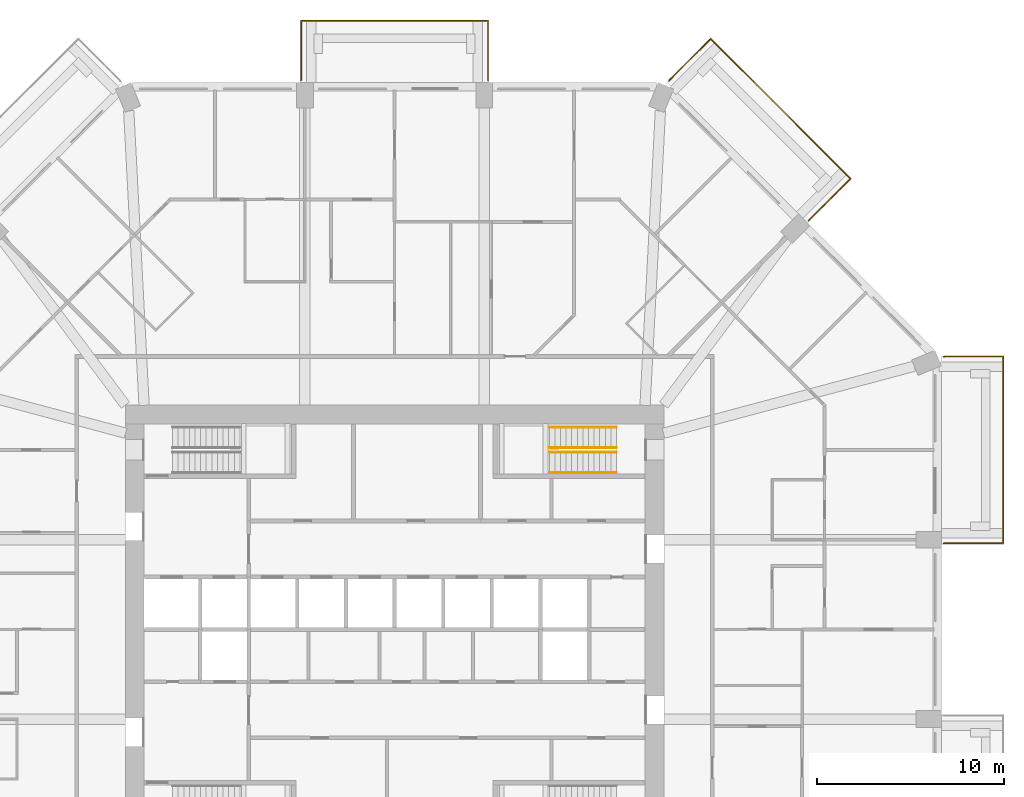
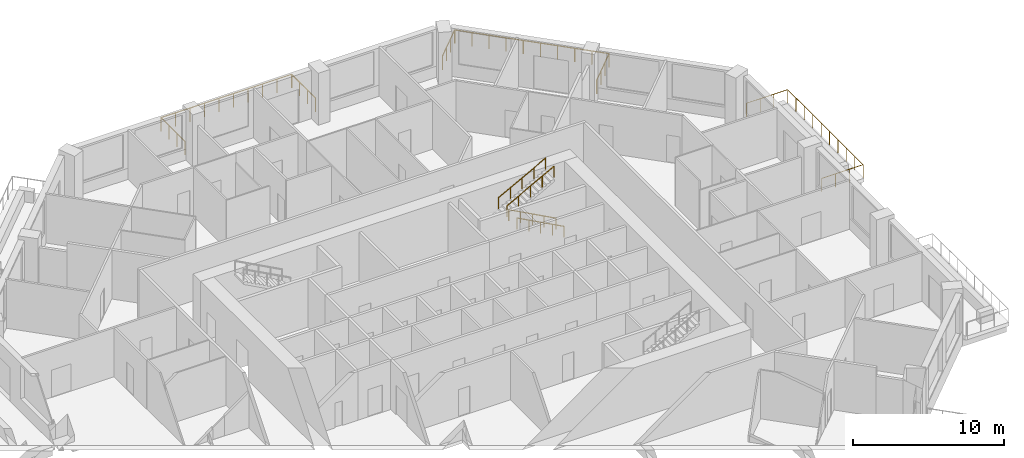
# One storey, part 13 of 13: 7 railings.
"""IFC4 building model written with IfcOpenShell, lengths in metres."""

import ifcopenshell
import ifcopenshell.guid

model = None  # the IFC model being written
_history = None  # IfcOwnerHistory: only IFC2X3 demands one
_inside = {}  # id of a spatial element -> (the spatial element, [elements in it])
_under = {}  # id of a project, library or spatial element -> (it, [spatial elements below it])
_declared = {}  # id of a project -> (the project, [libraries it declares])
_typed = {}  # id of a type object -> (the type object, [elements of that type])
_made_of = {}  # id of a material, layer set ... -> (it, [elements and type objects made of it])


def new_model(schema):
    """Start an empty IFC model of exactly this schema.

    Asked for "IFC4X3", IfcOpenShell would pick the latest addendum, in which some entities
    have other attributes; the version numbers below select the first issue.
    IFC2X3 requires an IfcOwnerHistory on every rooted entity: one is made here for all.
    """
    global model, _history
    if schema == "IFC4X3":
        model = ifcopenshell.file(schema_version=(4, 3, 0, 0))
    else:
        model = ifcopenshell.file(schema=schema)
    _inside.clear()
    _under.clear()
    _declared.clear()
    _typed.clear()
    _made_of.clear()
    _history = None
    if model.schema == "IFC2X3":
        org = make("IfcOrganization", Name="unknown")
        user = make(
            "IfcPersonAndOrganization",
            ThePerson=make("IfcPerson", FamilyName="unknown"),
            TheOrganization=org,
        )
        app = make(
            "IfcApplication",
            ApplicationDeveloper=org,
            Version="unknown",
            ApplicationFullName="unknown",
            ApplicationIdentifier="unknown",
        )
        _history = make(
            "IfcOwnerHistory",
            OwningUser=user,
            OwningApplication=app,
            ChangeAction="ADDED",
            CreationDate=0,
        )
    return model


def make(cls, **values):
    """One entity of the class cls with the attributes given. An attribute that is None is left unset."""
    return model.create_entity(
        cls, **{name: value for name, value in values.items() if value is not None}
    )


def rooted(cls, **values):
    """An entity with a GlobalId (a new one), such as an element, a storey or a relation."""
    return make(cls, GlobalId=ifcopenshell.guid.new(), OwnerHistory=_history, **values)


def si_unit(unit_type, name, prefix=None):
    """IfcSIUnit, for example si_unit("LENGTHUNIT", "METRE", prefix="MILLI")."""
    return make("IfcSIUnit", UnitType=unit_type, Prefix=prefix, Name=name)


def assignment(units):
    """IfcUnitAssignment: the units of a project."""
    return None if units is None else make("IfcUnitAssignment", Units=units)


def point(xyz):
    """IfcCartesianPoint."""
    return None if xyz is None else make("IfcCartesianPoint", Coordinates=xyz)


def direction(xyz):
    """IfcDirection."""
    return None if xyz is None else make("IfcDirection", DirectionRatios=xyz)


def frame(location, z_axis=None, x_axis=None):
    """IfcAxis2Placement3D, a coordinate frame: its origin and axes. An axis left out is left unset."""
    return make(
        "IfcAxis2Placement3D",
        Location=point(location),
        Axis=direction(z_axis),
        RefDirection=direction(x_axis),
    )


def frame_2d(location, x_axis=None):
    """IfcAxis2Placement2D, a coordinate frame in the plane: its origin and x axis."""
    return make(
        "IfcAxis2Placement2D", Location=point(location), RefDirection=direction(x_axis)
    )


def origin():
    """The frame at (0, 0, 0) with its axes left unset."""
    return frame((0.0, 0.0, 0.0))


def origin_2d():
    """The frame at (0, 0) in the plane with its x axis left unset."""
    return frame_2d((0.0, 0.0))


def place(relative_to, where):
    """IfcLocalPlacement: puts the frame where relative to a parent placement (None: the world)."""
    return make(
        "IfcLocalPlacement", PlacementRelTo=relative_to, RelativePlacement=where
    )


def context(
    kind, dimensions, precision=None, world=None, true_north=None, identifier=None
):
    """IfcGeometricRepresentationContext, for example the 3D "Model" context."""
    return make(
        "IfcGeometricRepresentationContext",
        ContextIdentifier=identifier,
        ContextType=kind,
        CoordinateSpaceDimension=dimensions,
        Precision=precision,
        WorldCoordinateSystem=world,
        TrueNorth=true_north,
    )


def subcontext(parent, identifier, kind, view, scale=None):
    """IfcGeometricRepresentationSubContext, for example "Body" below "Model"."""
    return make(
        "IfcGeometricRepresentationSubContext",
        ContextIdentifier=identifier,
        ContextType=kind,
        ParentContext=parent,
        TargetScale=scale,
        TargetView=view,
    )


def project(units=None, contexts=None):
    """IfcProject with its units and contexts."""
    return rooted(
        "IfcProject",
        Name="project",
        RepresentationContexts=contexts,
        UnitsInContext=assignment(units),
    )


def spatial(cls, under=None, at=None, **own):
    """A site, building, storey or space (cls), placed at a placement, below another one or the project."""
    s = rooted(cls, ObjectPlacement=at, **own)
    if under is not None:
        _under.setdefault(under.id(), (under, []))[1].append(s)
    return s


def profile(cls, at=None, kind="AREA", **sizes):
    """A parametric profile (cls). Its sizes go by their IFC names, for example OverallWidth=200.0."""
    return make(cls, ProfileType=kind, Position=at, **sizes)


def circle(**sizes):
    """IfcCircleProfileDef."""
    return profile("IfcCircleProfileDef", **sizes)


def extrude(swept, where, along, depth):
    """IfcExtrudedAreaSolid: the profile swept, set in the frame where, extruded along a direction by depth."""
    return make(
        "IfcExtrudedAreaSolid",
        SweptArea=swept,
        Position=where,
        ExtrudedDirection=direction(along),
        Depth=depth,
    )


def shape(context_of_items, identifier, shape_type, items):
    """IfcShapeRepresentation: the items that make up one representation, for example the "Body"."""
    return make(
        "IfcShapeRepresentation",
        ContextOfItems=context_of_items,
        RepresentationIdentifier=identifier,
        RepresentationType=shape_type,
        Items=items,
    )


def material(Name=None, Category=None):
    """IfcMaterial."""
    return make("IfcMaterial", Name=Name, Category=Category)


def constituent(of_material, Name=None, Category=None, fraction=None):
    """IfcMaterialConstituent: one of the materials an element consists of."""
    return make(
        "IfcMaterialConstituent",
        Name=Name,
        Material=of_material,
        Fraction=fraction,
        Category=Category,
    )


def constituent_set(constituents=None, Name=None):
    """IfcMaterialConstituentSet."""
    return make(
        "IfcMaterialConstituentSet", Name=Name, MaterialConstituents=constituents
    )


def made_of(thing, what):
    """Note that an element or type object is made of a material, layer set ...; save() writes the relation."""
    if what is not None:
        _made_of.setdefault(what.id(), (what, []))[1].append(thing)
    return thing


def type_object(cls, material=None, **own):
    """A type object (cls), such as IfcWallType, which elements share."""
    return made_of(rooted(cls, **own), material)


def element(
    cls,
    number,
    at=None,
    inside=None,
    cuts=None,
    type_object=None,
    material=None,
    context=None,
    identifier="Body",
    shape_type=None,
    held_by="IfcProductDefinitionShape",
    body=None,
    shapes=None,
    **own,
):
    """One element of the class cls, such as IfcWall. Its Tag is "e" and its number.

    at: its placement. inside: the storey or other place that contains it. cuts: it is an
    opening in that element (IfcRelVoidsElement). A single representation is given by context,
    identifier, shape_type and body (its items); several are given by shapes. held_by: the class
    of the entity that holds the representations. save() writes the other relations.
    """
    e = rooted(cls, Tag="e%d" % number, ObjectPlacement=at, **own)
    if body is not None:
        shapes = [shape(context, identifier, shape_type, body)]
    if shapes is not None:
        e.Representation = make(held_by, Representations=shapes)
    if inside is not None:
        _inside.setdefault(inside.id(), (inside, []))[1].append(e)
    if cuts is not None:
        rooted(
            "IfcRelVoidsElement", RelatingBuildingElement=cuts, RelatedOpeningElement=e
        )
    if type_object is not None:
        _typed.setdefault(type_object.id(), (type_object, []))[1].append(e)
    return made_of(e, material)


def aggregate(whole, parts):
    """IfcRelAggregates: a whole, such as a stair, and the parts it consists of."""
    return rooted("IfcRelAggregates", RelatingObject=whole, RelatedObjects=parts)


def save(model, path):
    """Write the relations noted so far, then the file.

    IfcRelAggregates (storeys below a building ...), IfcRelContainedInSpatialStructure (elements
    in a storey), IfcRelDefinesByType, IfcRelAssociatesMaterial and IfcRelDeclares: one each for
    every whole, place, type object, material and project.
    """
    for whole, parts in _under.values():
        aggregate(whole, parts)
    for where, things in _inside.values():
        rooted(
            "IfcRelContainedInSpatialStructure",
            RelatedElements=things,
            RelatingStructure=where,
        )
    for kind, things in _typed.values():
        rooted("IfcRelDefinesByType", RelatedObjects=things, RelatingType=kind)
    for what, things in _made_of.values():
        rooted("IfcRelAssociatesMaterial", RelatedObjects=things, RelatingMaterial=what)
    for by, libraries in _declared.values():
        rooted("IfcRelDeclares", RelatingContext=by, RelatedDefinitions=libraries)
    model.write(path)


model = new_model("IFC4")

# Units and contexts
model_context = context("Model", 3, precision=1e-05, world=origin(), true_north=direction((0.0, 1.0)))
body_context = subcontext(model_context, "Body", "Model", "MODEL_VIEW")
ifc_project = project(units=[si_unit("LENGTHUNIT", "METRE"), si_unit("AREAUNIT", "SQUARE_METRE"), si_unit("VOLUMEUNIT", "CUBIC_METRE"), si_unit("PLANEANGLEUNIT", "RADIAN"), si_unit("MASSUNIT", "GRAM", prefix="KILO")], contexts=[model_context])

# Site, building, storey
site_placement = place(None, origin())
site = spatial("IfcSite", under=ifc_project, at=site_placement, CompositionType="ELEMENT")
building_placement = place(site_placement, origin())
building = spatial("IfcBuilding", under=site, at=building_placement, Name="Msitu Wima Residences", CompositionType="ELEMENT")
storey_placement = place(building_placement, frame((0.0, 0.0, 33.89990234375)))
storey = spatial("IfcBuildingStorey", under=building, at=storey_placement, Name="L07", CompositionType="ELEMENT", Elevation=33.89990234375)

# Railings
ifc_material_1 = material(Name="Steel S355", Category="steel")
ifc_constituent_1 = constituent(ifc_material_1, Name="Steel S355")
ifc_material_2 = material(Name="Weathering patina")
ifc_constituent_2 = constituent(ifc_material_2, Name="Weathering patina")
ifc_constituent_set_1 = constituent_set(constituents=[ifc_constituent_1, ifc_constituent_2], Name="Steel S355")
railing_type_1 = type_object("IfcRailingType", Name="Balcony guard GR1100", PredefinedType="GUARDRAIL", material=ifc_constituent_set_1)
railing_1_placement = place(storey_placement, frame((29.3798828125, 14.586181640625, 0.0)))
element("IfcRailing", 1, at=railing_1_placement, inside=storey, type_object=railing_type_1, Name="Balcony guard E2 L07", PredefinedType="GUARDRAIL", context=body_context, shape_type="SweptSolid", body=[
    extrude(circle(Radius=0.02392578125, at=origin_2d()), frame((0.0, 0.0, 1.076171875), z_axis=(0.92426142649, 0.38176015442, 0.0), x_axis=(-0.38176015442, 0.92426142649, 0.0)), (0.0, 0.0, 1.0), 0.036376953125),
    extrude(circle(Radius=0.02392578125, at=origin_2d()), frame((0.03369140625, 0.013916015625, 1.076171875), z_axis=(1.0, 0.0, 0.0), x_axis=(0.0, 1.0, 0.0)), (0.0, 0.0, 1.0), 3.136474609375),
    extrude(circle(Radius=0.02392578125, at=origin_2d()), frame((3.170166015625, 0.013916015625, 1.076171875), z_axis=(0.0, -1.0, 0.0), x_axis=(1.0, 0.0, 0.0)), (0.0, 0.0, 1.0), 10.0),
    extrude(circle(Radius=0.02392578125, at=origin_2d()), frame((3.170166015625, -9.986083984375, 1.076171875), z_axis=(-1.0, 0.0, 0.0), x_axis=(0.0, -1.0, 0.0)), (0.0, 0.0, 1.0), 3.170166015625),
    extrude(circle(Radius=0.02099609375, at=origin_2d()), origin(), (0.0, 0.0, 1.0), 1.052001953125),
    extrude(circle(Radius=0.02099609375, at=origin_2d()), frame((0.03369140625, 0.013916015625, 0.0)), (0.0, 0.0, 1.0), 1.052001953125),
    extrude(circle(Radius=0.02099609375, at=origin_2d()), frame((1.0791015625, 0.013916015625, 0.0)), (0.0, 0.0, 1.0), 1.052001953125),
    extrude(circle(Radius=0.02099609375, at=origin_2d()), frame((2.124755859375, 0.013916015625, 0.0)), (0.0, 0.0, 1.0), 1.052001953125),
    extrude(circle(Radius=0.02099609375, at=origin_2d()), frame((3.170166015625, 0.013916015625, 0.0)), (0.0, 0.0, 1.0), 1.052001953125),
    extrude(circle(Radius=0.02099609375, at=origin_2d()), frame((3.170166015625, -1.09716796875, 0.0)), (0.0, 0.0, 1.0), 1.052001953125),
    extrude(circle(Radius=0.02099609375, at=origin_2d()), frame((3.170166015625, -2.208251953125, 0.0)), (0.0, 0.0, 1.0), 1.052001953125),
    extrude(circle(Radius=0.02099609375, at=origin_2d()), frame((3.170166015625, -3.3193359375, 0.0)), (0.0, 0.0, 1.0), 1.052001953125),
    extrude(circle(Radius=0.02099609375, at=origin_2d()), frame((3.170166015625, -4.430419921875, 0.0)), (0.0, 0.0, 1.0), 1.052001953125),
    extrude(circle(Radius=0.02099609375, at=origin_2d()), frame((3.170166015625, -5.541748046875, 0.0)), (0.0, 0.0, 1.0), 1.052001953125),
    extrude(circle(Radius=0.02099609375, at=origin_2d()), frame((3.170166015625, -6.65283203125, 0.0)), (0.0, 0.0, 1.0), 1.052001953125),
    extrude(circle(Radius=0.02099609375, at=origin_2d()), frame((3.170166015625, -7.763916015625, 0.0)), (0.0, 0.0, 1.0), 1.052001953125),
    extrude(circle(Radius=0.02099609375, at=origin_2d()), frame((3.170166015625, -8.875, 0.0)), (0.0, 0.0, 1.0), 1.052001953125),
    extrude(circle(Radius=0.02099609375, at=origin_2d()), frame((3.170166015625, -9.986083984375, 0.0)), (0.0, 0.0, 1.0), 1.052001953125),
    extrude(circle(Radius=0.02099609375, at=origin_2d()), frame((2.113525390625, -9.986083984375, 0.0)), (0.0, 0.0, 1.0), 1.052001953125),
    extrude(circle(Radius=0.02099609375, at=origin_2d()), frame((1.056640625, -9.986083984375, 0.0)), (0.0, 0.0, 1.0), 1.052001953125),
    extrude(circle(Radius=0.02099609375, at=origin_2d()), frame((0.0, -9.986083984375, 0.0)), (0.0, 0.0, 1.0), 1.052001953125),
])
railing_2_placement = place(storey_placement, frame((14.678466796875, 29.341796875, 0.0)))
element("IfcRailing", 2, at=railing_2_placement, inside=storey, type_object=railing_type_1, Name="Balcony guard NE1 L07", PredefinedType="GUARDRAIL", context=body_context, shape_type="SweptSolid", body=[
    extrude(circle(Radius=0.02392578125, at=origin_2d()), frame((0.0, 0.0, 1.076171875), z_axis=(0.384136806859, 0.923276184907, 0.0), x_axis=(-0.923276184907, 0.384136806859, 0.0)), (0.0, 0.0, 1.0), 0.0361328125),
    extrude(circle(Radius=0.02392578125, at=origin_2d()), frame((0.013916015625, 0.033447265625, 1.076171875), z_axis=(0.707106781187, 0.707106781187, 0.0), x_axis=(-0.707106781187, 0.707106781187, 0.0)), (0.0, 0.0, 1.0), 3.136474609375),
    extrude(circle(Radius=0.02392578125, at=origin_2d()), frame((2.231689453125, 2.251220703125, 1.076171875), z_axis=(0.707118316465, -0.70709524572, 0.0), x_axis=(0.70709524572, 0.707118316465, 0.0)), (0.0, 0.0, 1.0), 10.582275390625),
    extrude(circle(Radius=0.02392578125, at=origin_2d()), frame((9.714599609375, -5.2314453125, 1.076171875), z_axis=(-0.707068272989, -0.707145287287, 0.0), x_axis=(0.707145287287, -0.707068272989, 0.0)), (0.0, 0.0, 1.0), 3.170166015625),
    extrude(circle(Radius=0.02099609375, at=origin_2d()), origin(), (0.0, 0.0, 1.0), 1.052001953125),
    extrude(circle(Radius=0.02099609375, at=origin_2d()), frame((0.013916015625, 0.033447265625, 0.0)), (0.0, 0.0, 1.0), 1.052001953125),
    extrude(circle(Radius=0.02099609375, at=origin_2d()), frame((0.753173828125, 0.772705078125, 0.0)), (0.0, 0.0, 1.0), 1.052001953125),
    extrude(circle(Radius=0.02099609375, at=origin_2d()), frame((1.492431640625, 1.511962890625, 0.0)), (0.0, 0.0, 1.0), 1.052001953125),
    extrude(circle(Radius=0.02099609375, at=origin_2d()), frame((2.231689453125, 2.251220703125, 0.0)), (0.0, 0.0, 1.0), 1.052001953125),
    extrude(circle(Radius=0.02099609375, at=origin_2d()), frame((3.063232421875, 1.419921875, 0.0)), (0.0, 0.0, 1.0), 1.052001953125),
    extrude(circle(Radius=0.02099609375, at=origin_2d()), frame((3.89453125, 0.58837890625, 0.0)), (0.0, 0.0, 1.0), 1.052001953125),
    extrude(circle(Radius=0.02099609375, at=origin_2d()), frame((4.72607421875, -0.242919921875, 0.0)), (0.0, 0.0, 1.0), 1.052001953125),
    extrude(circle(Radius=0.02099609375, at=origin_2d()), frame((5.557373046875, -1.074462890625, 0.0)), (0.0, 0.0, 1.0), 1.052001953125),
    extrude(circle(Radius=0.02099609375, at=origin_2d()), frame((6.388916015625, -1.90576171875, 0.0)), (0.0, 0.0, 1.0), 1.052001953125),
    extrude(circle(Radius=0.02099609375, at=origin_2d()), frame((7.22021484375, -2.7373046875, 0.0)), (0.0, 0.0, 1.0), 1.052001953125),
    extrude(circle(Radius=0.02099609375, at=origin_2d()), frame((8.0517578125, -3.568603515625, 0.0)), (0.0, 0.0, 1.0), 1.052001953125),
    extrude(circle(Radius=0.02099609375, at=origin_2d()), frame((8.883056640625, -4.400146484375, 0.0)), (0.0, 0.0, 1.0), 1.052001953125),
    extrude(circle(Radius=0.02099609375, at=origin_2d()), frame((9.714599609375, -5.2314453125, 0.0)), (0.0, 0.0, 1.0), 1.052001953125),
    extrude(circle(Radius=0.02099609375, at=origin_2d()), frame((8.967529296875, -5.978759765625, 0.0)), (0.0, 0.0, 1.0), 1.052001953125),
    extrude(circle(Radius=0.02099609375, at=origin_2d()), frame((8.22021484375, -6.725830078125, 0.0)), (0.0, 0.0, 1.0), 1.052001953125),
    extrude(circle(Radius=0.02099609375, at=origin_2d()), frame((7.47314453125, -7.47314453125, 0.0)), (0.0, 0.0, 1.0), 1.052001953125),
])
railing_3_placement = place(storey_placement, frame((-5.0, 29.3798828125, 0.0)))
element("IfcRailing", 3, at=railing_3_placement, inside=storey, type_object=railing_type_1, Name="Balcony guard N1 L07", PredefinedType="GUARDRAIL", context=body_context, shape_type="SweptSolid", body=[
    extrude(circle(Radius=0.02392578125, at=origin_2d()), frame((0.0, 0.0, 1.076171875), z_axis=(0.0, 1.0, 0.0), x_axis=(-1.0, 0.0, 0.0)), (0.0, 0.0, 1.0), 3.170166015625),
    extrude(circle(Radius=0.02392578125, at=origin_2d()), frame((0.0, 3.170166015625, 1.076171875), z_axis=(1.0, 0.0, 0.0), x_axis=(0.0, 1.0, 0.0)), (0.0, 0.0, 1.0), 10.0),
    extrude(circle(Radius=0.02392578125, at=origin_2d()), frame((10.0, 3.170166015625, 1.076171875), z_axis=(0.0, -1.0, 0.0), x_axis=(1.0, 0.0, 0.0)), (0.0, 0.0, 1.0), 3.170166015625),
    extrude(circle(Radius=0.02099609375, at=origin_2d()), origin(), (0.0, 0.0, 1.0), 1.052001953125),
    extrude(circle(Radius=0.02099609375, at=origin_2d()), frame((0.0, 1.056640625, 0.0)), (0.0, 0.0, 1.0), 1.052001953125),
    extrude(circle(Radius=0.02099609375, at=origin_2d()), frame((0.0, 2.113525390625, 0.0)), (0.0, 0.0, 1.0), 1.052001953125),
    extrude(circle(Radius=0.02099609375, at=origin_2d()), frame((0.0, 3.170166015625, 0.0)), (0.0, 0.0, 1.0), 1.052001953125),
    extrude(circle(Radius=0.02099609375, at=origin_2d()), frame((1.111083984375, 3.170166015625, 0.0)), (0.0, 0.0, 1.0), 1.052001953125),
    extrude(circle(Radius=0.02099609375, at=origin_2d()), frame((2.22216796875, 3.170166015625, 0.0)), (0.0, 0.0, 1.0), 1.052001953125),
    extrude(circle(Radius=0.02099609375, at=origin_2d()), frame((3.333251953125, 3.170166015625, 0.0)), (0.0, 0.0, 1.0), 1.052001953125),
    extrude(circle(Radius=0.02099609375, at=origin_2d()), frame((4.4443359375, 3.170166015625, 0.0)), (0.0, 0.0, 1.0), 1.052001953125),
    extrude(circle(Radius=0.02099609375, at=origin_2d()), frame((5.5556640625, 3.170166015625, 0.0)), (0.0, 0.0, 1.0), 1.052001953125),
    extrude(circle(Radius=0.02099609375, at=origin_2d()), frame((6.666748046875, 3.170166015625, 0.0)), (0.0, 0.0, 1.0), 1.052001953125),
    extrude(circle(Radius=0.02099609375, at=origin_2d()), frame((7.77783203125, 3.170166015625, 0.0)), (0.0, 0.0, 1.0), 1.052001953125),
    extrude(circle(Radius=0.02099609375, at=origin_2d()), frame((8.888916015625, 3.170166015625, 0.0)), (0.0, 0.0, 1.0), 1.052001953125),
    extrude(circle(Radius=0.02099609375, at=origin_2d()), frame((10.0, 3.170166015625, 0.0)), (0.0, 0.0, 1.0), 1.052001953125),
    extrude(circle(Radius=0.02099609375, at=origin_2d()), frame((10.0, 2.113525390625, 0.0)), (0.0, 0.0, 1.0), 1.052001953125),
    extrude(circle(Radius=0.02099609375, at=origin_2d()), frame((10.0, 1.056640625, 0.0)), (0.0, 0.0, 1.0), 1.052001953125),
    extrude(circle(Radius=0.02099609375, at=origin_2d()), frame((10.0, 0.0, 0.0)), (0.0, 0.0, 1.0), 1.052001953125),
])
ifc_constituent_3 = constituent(ifc_material_1, Name="Steel S355")
ifc_material_3 = material(Name="Black powder coating")
ifc_constituent_4 = constituent(ifc_material_3, Name="Black powder coating")
ifc_constituent_set_2 = constituent_set(constituents=[ifc_constituent_3, ifc_constituent_4], Name="Steel S355")
railing_type_2 = type_object("IfcRailingType", Name="Stair handrail HR1", PredefinedType="HANDRAIL", material=ifc_constituent_set_2)
for number, where, name in (
    (4, (11.875, 8.375, 0.16162109375), "Stair 3 handrail"),
    (5, (11.875, 9.47509765625, 0.16162109375), "Stair 3 handrail"),
):
    element("IfcRailing", number, at=place(storey_placement, frame(where)), inside=storey, type_object=railing_type_2, Name=name, PredefinedType="HANDRAIL", context=body_context, shape_type="SweptSolid", body=[
        extrude(circle(Radius=0.02392578125, at=origin_2d()), frame((0.0, 0.0, 0.8759765625), z_axis=(-0.880474934443, 0.0, 0.474092701714), x_axis=(0.0, -1.0, 0.0)), (0.0, 0.0, 1.0), 4.0888671875),
        extrude(circle(Radius=0.02099609375, at=origin_2d()), origin(), (0.0, 0.0, 1.0), 0.851806640625),
        extrude(circle(Radius=0.02099609375, at=origin_2d()), frame((-0.89990234375, 0.0, 0.484619140625)), (0.0, 0.0, 1.0), 0.851806640625),
        extrude(circle(Radius=0.02099609375, at=origin_2d()), frame((-1.800048828125, 0.0, 0.96923828125)), (0.0, 0.0, 1.0), 0.851806640625),
        extrude(circle(Radius=0.02099609375, at=origin_2d()), frame((-2.7001953125, 0.0, 1.453857421875)), (0.0, 0.0, 1.0), 0.851806640625),
        extrude(circle(Radius=0.02099609375, at=origin_2d()), frame((-3.60009765625, 0.0, 1.9384765625)), (0.0, 0.0, 1.0), 0.851806640625),
    ])
for number, where, name in (
    (6, (8.27490234375, 9.72509765625, 2.26171875), "Stair 3 handrail"),
    (7, (8.27490234375, 10.824951171875, 2.26171875), "Stair 3 handrail"),
):
    element("IfcRailing", number, at=place(storey_placement, frame(where)), inside=storey, type_object=railing_type_2, Name=name, PredefinedType="HANDRAIL", context=body_context, shape_type="SweptSolid", body=[
        extrude(circle(Radius=0.02392578125, at=origin_2d()), frame((0.0, 0.0, 0.8759765625), z_axis=(0.880474934443, 0.0, 0.474092701714), x_axis=(0.0, 1.0, 0.0)), (0.0, 0.0, 1.0), 4.0888671875),
        extrude(circle(Radius=0.02099609375, at=origin_2d()), origin(), (0.0, 0.0, 1.0), 0.851806640625),
        extrude(circle(Radius=0.02099609375, at=origin_2d()), frame((0.89990234375, 0.0, 0.484619140625)), (0.0, 0.0, 1.0), 0.851806640625),
        extrude(circle(Radius=0.02099609375, at=origin_2d()), frame((1.800048828125, 0.0, 0.96923828125)), (0.0, 0.0, 1.0), 0.851806640625),
        extrude(circle(Radius=0.02099609375, at=origin_2d()), frame((2.7001953125, 0.0, 1.453857421875)), (0.0, 0.0, 1.0), 0.851806640625),
        extrude(circle(Radius=0.02099609375, at=origin_2d()), frame((3.60009765625, 0.0, 1.9384765625)), (0.0, 0.0, 1.0), 0.851806640625),
    ])

save(model, "model.ifc")
